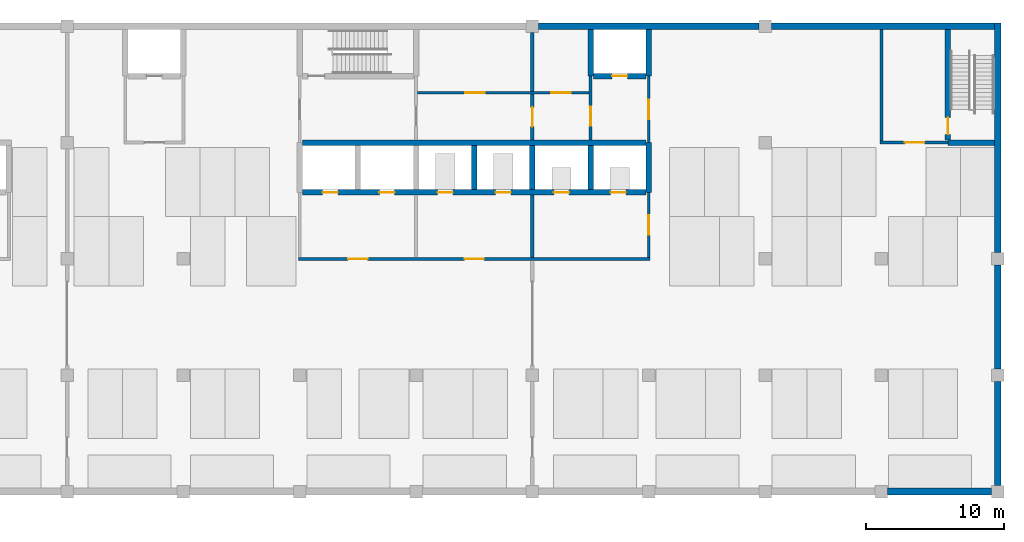
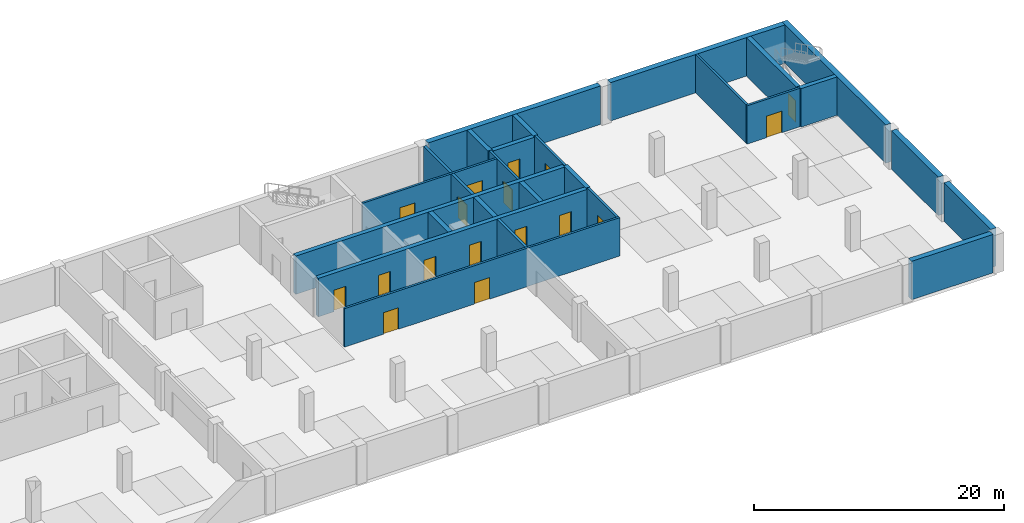
# One storey, part 5 of 14: 27 walls, 17 doors, 17 openings.
"""IFC4 building model written with IfcOpenShell, lengths in metres."""

import ifcopenshell
import ifcopenshell.guid

model = None  # the IFC model being written
_history = None  # IfcOwnerHistory: only IFC2X3 demands one
_inside = {}  # id of a spatial element -> (the spatial element, [elements in it])
_under = {}  # id of a project, library or spatial element -> (it, [spatial elements below it])
_declared = {}  # id of a project -> (the project, [libraries it declares])
_typed = {}  # id of a type object -> (the type object, [elements of that type])
_made_of = {}  # id of a material, layer set ... -> (it, [elements and type objects made of it])


def new_model(schema):
    """Start an empty IFC model of exactly this schema.

    Asked for "IFC4X3", IfcOpenShell would pick the latest addendum, in which some entities
    have other attributes; the version numbers below select the first issue.
    IFC2X3 requires an IfcOwnerHistory on every rooted entity: one is made here for all.
    """
    global model, _history
    if schema == "IFC4X3":
        model = ifcopenshell.file(schema_version=(4, 3, 0, 0))
    else:
        model = ifcopenshell.file(schema=schema)
    _inside.clear()
    _under.clear()
    _declared.clear()
    _typed.clear()
    _made_of.clear()
    _history = None
    if model.schema == "IFC2X3":
        org = make("IfcOrganization", Name="unknown")
        user = make(
            "IfcPersonAndOrganization",
            ThePerson=make("IfcPerson", FamilyName="unknown"),
            TheOrganization=org,
        )
        app = make(
            "IfcApplication",
            ApplicationDeveloper=org,
            Version="unknown",
            ApplicationFullName="unknown",
            ApplicationIdentifier="unknown",
        )
        _history = make(
            "IfcOwnerHistory",
            OwningUser=user,
            OwningApplication=app,
            ChangeAction="ADDED",
            CreationDate=0,
        )
    return model


def make(cls, **values):
    """One entity of the class cls with the attributes given. An attribute that is None is left unset."""
    return model.create_entity(
        cls, **{name: value for name, value in values.items() if value is not None}
    )


def rooted(cls, **values):
    """An entity with a GlobalId (a new one), such as an element, a storey or a relation."""
    return make(cls, GlobalId=ifcopenshell.guid.new(), OwnerHistory=_history, **values)


def si_unit(unit_type, name, prefix=None):
    """IfcSIUnit, for example si_unit("LENGTHUNIT", "METRE", prefix="MILLI")."""
    return make("IfcSIUnit", UnitType=unit_type, Prefix=prefix, Name=name)


def assignment(units):
    """IfcUnitAssignment: the units of a project."""
    return None if units is None else make("IfcUnitAssignment", Units=units)


def point(xyz):
    """IfcCartesianPoint."""
    return None if xyz is None else make("IfcCartesianPoint", Coordinates=xyz)


def direction(xyz):
    """IfcDirection."""
    return None if xyz is None else make("IfcDirection", DirectionRatios=xyz)


def frame(location, z_axis=None, x_axis=None):
    """IfcAxis2Placement3D, a coordinate frame: its origin and axes. An axis left out is left unset."""
    return make(
        "IfcAxis2Placement3D",
        Location=point(location),
        Axis=direction(z_axis),
        RefDirection=direction(x_axis),
    )


def frame_2d(location, x_axis=None):
    """IfcAxis2Placement2D, a coordinate frame in the plane: its origin and x axis."""
    return make(
        "IfcAxis2Placement2D", Location=point(location), RefDirection=direction(x_axis)
    )


def origin():
    """The frame at (0, 0, 0) with its axes left unset."""
    return frame((0.0, 0.0, 0.0))


def place(relative_to, where):
    """IfcLocalPlacement: puts the frame where relative to a parent placement (None: the world)."""
    return make(
        "IfcLocalPlacement", PlacementRelTo=relative_to, RelativePlacement=where
    )


def context(
    kind, dimensions, precision=None, world=None, true_north=None, identifier=None
):
    """IfcGeometricRepresentationContext, for example the 3D "Model" context."""
    return make(
        "IfcGeometricRepresentationContext",
        ContextIdentifier=identifier,
        ContextType=kind,
        CoordinateSpaceDimension=dimensions,
        Precision=precision,
        WorldCoordinateSystem=world,
        TrueNorth=true_north,
    )


def subcontext(parent, identifier, kind, view, scale=None):
    """IfcGeometricRepresentationSubContext, for example "Body" below "Model"."""
    return make(
        "IfcGeometricRepresentationSubContext",
        ContextIdentifier=identifier,
        ContextType=kind,
        ParentContext=parent,
        TargetScale=scale,
        TargetView=view,
    )


def project(units=None, contexts=None):
    """IfcProject with its units and contexts."""
    return rooted(
        "IfcProject",
        Name="project",
        RepresentationContexts=contexts,
        UnitsInContext=assignment(units),
    )


def spatial(cls, under=None, at=None, **own):
    """A site, building, storey or space (cls), placed at a placement, below another one or the project."""
    s = rooted(cls, ObjectPlacement=at, **own)
    if under is not None:
        _under.setdefault(under.id(), (under, []))[1].append(s)
    return s


def profile(cls, at=None, kind="AREA", **sizes):
    """A parametric profile (cls). Its sizes go by their IFC names, for example OverallWidth=200.0."""
    return make(cls, ProfileType=kind, Position=at, **sizes)


def rectangle(**sizes):
    """IfcRectangleProfileDef."""
    return profile("IfcRectangleProfileDef", **sizes)


def extrude(swept, where, along, depth):
    """IfcExtrudedAreaSolid: the profile swept, set in the frame where, extruded along a direction by depth."""
    return make(
        "IfcExtrudedAreaSolid",
        SweptArea=swept,
        Position=where,
        ExtrudedDirection=direction(along),
        Depth=depth,
    )


def shape(context_of_items, identifier, shape_type, items):
    """IfcShapeRepresentation: the items that make up one representation, for example the "Body"."""
    return make(
        "IfcShapeRepresentation",
        ContextOfItems=context_of_items,
        RepresentationIdentifier=identifier,
        RepresentationType=shape_type,
        Items=items,
    )


def material(Name=None, Category=None):
    """IfcMaterial."""
    return make("IfcMaterial", Name=Name, Category=Category)


def layer(
    of_material, thickness, ventilated=None, Name=None, Category=None, Priority=None
):
    """IfcMaterialLayer: one layer of a wall or slab, of a material (None: an air gap)."""
    return make(
        "IfcMaterialLayer",
        Material=of_material,
        LayerThickness=thickness,
        IsVentilated=ventilated,
        Name=Name,
        Category=Category,
        Priority=Priority,
    )


def layer_set(layers, Name=None):
    """IfcMaterialLayerSet."""
    return make("IfcMaterialLayerSet", MaterialLayers=layers, LayerSetName=Name)


def made_of(thing, what):
    """Note that an element or type object is made of a material, layer set ...; save() writes the relation."""
    if what is not None:
        _made_of.setdefault(what.id(), (what, []))[1].append(thing)
    return thing


def type_object(cls, material=None, **own):
    """A type object (cls), such as IfcWallType, which elements share."""
    return made_of(rooted(cls, **own), material)


def element(
    cls,
    number,
    at=None,
    inside=None,
    cuts=None,
    type_object=None,
    material=None,
    context=None,
    identifier="Body",
    shape_type=None,
    held_by="IfcProductDefinitionShape",
    body=None,
    shapes=None,
    **own,
):
    """One element of the class cls, such as IfcWall. Its Tag is "e" and its number.

    at: its placement. inside: the storey or other place that contains it. cuts: it is an
    opening in that element (IfcRelVoidsElement). A single representation is given by context,
    identifier, shape_type and body (its items); several are given by shapes. held_by: the class
    of the entity that holds the representations. save() writes the other relations.
    """
    e = rooted(cls, Tag="e%d" % number, ObjectPlacement=at, **own)
    if body is not None:
        shapes = [shape(context, identifier, shape_type, body)]
    if shapes is not None:
        e.Representation = make(held_by, Representations=shapes)
    if inside is not None:
        _inside.setdefault(inside.id(), (inside, []))[1].append(e)
    if cuts is not None:
        rooted(
            "IfcRelVoidsElement", RelatingBuildingElement=cuts, RelatedOpeningElement=e
        )
    if type_object is not None:
        _typed.setdefault(type_object.id(), (type_object, []))[1].append(e)
    return made_of(e, material)


def fill(opening, filler):
    """IfcRelFillsElement: the door or window that sits in an opening."""
    return rooted(
        "IfcRelFillsElement",
        RelatingOpeningElement=opening,
        RelatedBuildingElement=filler,
    )


def aggregate(whole, parts):
    """IfcRelAggregates: a whole, such as a stair, and the parts it consists of."""
    return rooted("IfcRelAggregates", RelatingObject=whole, RelatedObjects=parts)


def save(model, path):
    """Write the relations noted so far, then the file.

    IfcRelAggregates (storeys below a building ...), IfcRelContainedInSpatialStructure (elements
    in a storey), IfcRelDefinesByType, IfcRelAssociatesMaterial and IfcRelDeclares: one each for
    every whole, place, type object, material and project.
    """
    for whole, parts in _under.values():
        aggregate(whole, parts)
    for where, things in _inside.values():
        rooted(
            "IfcRelContainedInSpatialStructure",
            RelatedElements=things,
            RelatingStructure=where,
        )
    for kind, things in _typed.values():
        rooted("IfcRelDefinesByType", RelatedObjects=things, RelatingType=kind)
    for what, things in _made_of.values():
        rooted("IfcRelAssociatesMaterial", RelatedObjects=things, RelatingMaterial=what)
    for by, libraries in _declared.values():
        rooted("IfcRelDeclares", RelatingContext=by, RelatedDefinitions=libraries)
    model.write(path)


model = new_model("IFC4")

# Units and contexts
model_context = context("Model", 3, precision=1e-05, world=origin(), true_north=direction((0.0, 1.0)))
body_context = subcontext(model_context, "Body", "Model", "MODEL_VIEW")
ifc_project = project(units=[si_unit("LENGTHUNIT", "METRE"), si_unit("AREAUNIT", "SQUARE_METRE"), si_unit("VOLUMEUNIT", "CUBIC_METRE"), si_unit("PLANEANGLEUNIT", "RADIAN"), si_unit("MASSUNIT", "GRAM", prefix="KILO")], contexts=[model_context])

# Site, building, storey
site_placement = place(None, origin())
site = spatial("IfcSite", under=ifc_project, at=site_placement, CompositionType="ELEMENT")
building_placement = place(site_placement, origin())
building = spatial("IfcBuilding", under=site, at=building_placement, Name="Yavir Park General Hospital", CompositionType="ELEMENT")
storey_placement = place(building_placement, frame((0.0, 0.0, -4.199951171875)))
storey = spatial("IfcBuildingStorey", under=building, at=storey_placement, Name="B1", CompositionType="ELEMENT", Elevation=-4.199951171875)

# Wall
ifc_material_1 = material(Name="Concrete C30/37", Category="concrete")
ifc_layer_1 = layer(ifc_material_1, 0.25)
ifc_layer_set_1 = layer_set([ifc_layer_1], Name="Concrete C30/37")
wall_type_1 = type_object("IfcWallType", Name="Compartment fire wall 250, REI 150", PredefinedType="SOLIDWALL", material=ifc_layer_set_1)
wall_1_placement = place(storey_placement, frame((134.39990234375, 16.89990234375, 0.0), z_axis=(0.0, 0.0, 1.0), x_axis=(0.0, 1.0, 0.0)))
element("IfcWall", 1, at=wall_1_placement, inside=storey, type_object=wall_type_1, Name="FW25 B1-093", PredefinedType="SOLIDWALL", context=body_context, shape_type="SweptSolid", body=[
    extrude(rectangle(XDim=4.5, YDim=0.25, at=frame_2d((2.25, 0.0))), origin(), (0.0, 0.0, 1.0), 3.75),
])

# Wall, opening, door
wall_2_placement = place(storey_placement, frame((134.39990234375, 25.39990234375, 0.0), z_axis=(0.0, 0.0, 1.0), x_axis=(0.0, 1.0, 0.0)))
wall_2 = element("IfcWall", 2, at=wall_2_placement, inside=storey, type_object=wall_type_1, Name="FW25 B1-095", PredefinedType="SOLIDWALL", context=body_context, shape_type="SweptSolid", body=[
    extrude(rectangle(XDim=3.300048828125, YDim=0.25, at=frame_2d((1.64990234375, 0.0))), origin(), (0.0, 0.0, 1.0), 3.75),
])
opening_1_placement = place(wall_2_placement, frame((0.949951171875, 0.0, 0.0)))
opening_1 = element("IfcOpeningElement", 3, at=opening_1_placement, cuts=wall_2, Name="Opening B1.D059", PredefinedType="OPENING", context=body_context, shape_type="SweptSolid", body=[
    extrude(rectangle(XDim=1.39990234375, YDim=2.10009765625, at=frame_2d((0.699951171875, 1.050048828125))), frame((0.0, 0.135009765625, 0.0), z_axis=(0.0, -1.0, 0.0), x_axis=(1.0, 0.0, 0.0)), (0.0, 0.0, 1.0), 0.27001953125),
])
ifc_material_2 = material(Name="Steel frame, fire-resisting leaves with vision panels", Category="steel")
door_type_1 = type_object("IfcDoorType", Name="Double fire door with vision panels 1400 x 2100, EI 60", OperationType="DOUBLE_DOOR_SINGLE_SWING", PredefinedType="DOOR", material=ifc_material_2)
door_1_placement = place(opening_1_placement, origin())
door_1 = element("IfcDoor", 4, at=door_1_placement, inside=storey, type_object=door_type_1, Name="B1.D059", OperationType="SINGLE_SWING_LEFT", OverallHeight=2.10009765625, OverallWidth=1.39990234375, PredefinedType="DOOR", context=body_context, shape_type="SweptSolid", body=[
    extrude(rectangle(XDim=1.39990234375, YDim=2.10009765625, at=frame_2d((0.699951171875, 1.050048828125))), frame((0.0, 0.030029296875, 0.0), z_axis=(0.0, -1.0, 0.0), x_axis=(1.0, 0.0, 0.0)), (0.0, 0.0, 1.0), 0.06005859375),
])
fill(opening_1, door_1)

# Wall
wall_3_placement = place(storey_placement, frame((134.39990234375, 28.89990234375, 0.0), z_axis=(0.0, 0.0, 1.0), x_axis=(0.0, 1.0, 0.0)))
element("IfcWall", 5, at=wall_3_placement, inside=storey, type_object=wall_type_1, Name="FW25 B1-096", PredefinedType="SOLIDWALL", context=body_context, shape_type="SweptSolid", body=[
    extrude(rectangle(XDim=4.25, YDim=0.25, at=frame_2d((2.125, 0.0))), origin(), (0.0, 0.0, 1.0), 3.75),
])

# Wall, openings, doors
ifc_material_3 = material(Name="Double gypsum board fire partition on steel studs", Category="steel")
ifc_layer_2 = layer(ifc_material_3, 0.199951171875)
ifc_layer_set_2 = layer_set([ifc_layer_2], Name="Double gypsum board fire partition on steel studs")
wall_type_2 = type_object("IfcWallType", Name="Fire-rated partition 200, EI 60", PredefinedType="PARTITIONING", material=ifc_layer_set_2)
wall_4_placement = place(storey_placement, frame((117.5, 16.800048828125, 0.0), z_axis=(0.0, 0.0, 1.0), x_axis=(1.0, 0.0, 0.0)))
wall_4 = element("IfcWall", 6, at=wall_4_placement, inside=storey, type_object=wall_type_2, Name="FP20 B1-006", PredefinedType="PARTITIONING", context=body_context, shape_type="SweptSolid", body=[
    extrude(rectangle(XDim=25.39990234375, YDim=0.199951171875, at=frame_2d((12.699951171875, 0.0))), origin(), (0.0, 0.0, 1.0), 3.75),
])
opening_2_placement = place(wall_4_placement, frame((3.60009765625, 0.0, 0.0)))
opening_2 = element("IfcOpeningElement", 7, at=opening_2_placement, cuts=wall_4, Name="Opening B1.D006", PredefinedType="OPENING", context=body_context, shape_type="SweptSolid", body=[
    extrude(rectangle(XDim=1.39990234375, YDim=2.10009765625, at=frame_2d((0.699951171875, 1.050048828125))), frame((0.0, 0.10986328125, 0.0), z_axis=(0.0, -1.0, 0.0), x_axis=(1.0, 0.0, 0.0)), (0.0, 0.0, 1.0), 0.219970703125),
])
opening_3_placement = place(wall_4_placement, frame((12.0, 0.0, 0.0)))
opening_3 = element("IfcOpeningElement", 8, at=opening_3_placement, cuts=wall_4, Name="Opening B1.D007", PredefinedType="OPENING", context=body_context, shape_type="SweptSolid", body=[
    extrude(rectangle(XDim=1.39990234375, YDim=2.10009765625, at=frame_2d((0.699951171875, 1.050048828125))), frame((0.0, 0.10986328125, 0.0), z_axis=(0.0, -1.0, 0.0), x_axis=(1.0, 0.0, 0.0)), (0.0, 0.0, 1.0), 0.219970703125),
])
ifc_material_4 = material(Name="Steel frame, fire-resisting timber leaves", Category="steel")
door_type_2 = type_object("IfcDoorType", Name="Double fire door 1400 x 2100, EI 60", OperationType="DOUBLE_DOOR_SINGLE_SWING", PredefinedType="DOOR", material=ifc_material_4)
door_2_placement = place(opening_2_placement, origin())
door_2 = element("IfcDoor", 9, at=door_2_placement, inside=storey, type_object=door_type_2, Name="B1.D006", OperationType="SINGLE_SWING_LEFT", OverallHeight=2.10009765625, OverallWidth=1.39990234375, PredefinedType="DOOR", context=body_context, shape_type="SweptSolid", body=[
    extrude(rectangle(XDim=1.39990234375, YDim=2.10009765625, at=frame_2d((0.699951171875, 1.050048828125))), frame((0.0, 0.02490234375, 0.0), z_axis=(0.0, -1.0, 0.0), x_axis=(1.0, 0.0, 0.0)), (0.0, 0.0, 1.0), 0.050048828125),
])
fill(opening_2, door_2)
door_3_placement = place(opening_3_placement, origin())
door_3 = element("IfcDoor", 10, at=door_3_placement, inside=storey, type_object=door_type_2, Name="B1.D007", OperationType="SINGLE_SWING_RIGHT", OverallHeight=2.10009765625, OverallWidth=1.39990234375, PredefinedType="DOOR", context=body_context, shape_type="SweptSolid", body=[
    extrude(rectangle(XDim=1.39990234375, YDim=2.10009765625, at=frame_2d((0.699951171875, 1.050048828125))), frame((0.0, 0.02490234375, 0.0), z_axis=(0.0, -1.0, 0.0), x_axis=(1.0, 0.0, 0.0)), (0.0, 0.0, 1.0), 0.050048828125),
])
fill(opening_3, door_3)

# Wall, opening, door
wall_5_placement = place(storey_placement, frame((159.5, 25.199951171875, 0.0), z_axis=(0.0, 0.0, 1.0), x_axis=(1.0, 0.0, 0.0)))
wall_5 = element("IfcWall", 11, at=wall_5_placement, inside=storey, type_object=wall_type_2, Name="FP20 B1-022", PredefinedType="PARTITIONING", context=body_context, shape_type="SweptSolid", body=[
    extrude(rectangle(XDim=4.89990234375, YDim=0.199951171875, at=frame_2d((2.449951171875, 0.0))), origin(), (0.0, 0.0, 1.0), 3.75),
])
opening_4_placement = place(wall_5_placement, frame((1.800048828125, 0.0, 0.0)))
opening_4 = element("IfcOpeningElement", 12, at=opening_4_placement, cuts=wall_5, Name="Opening B1.D029", PredefinedType="OPENING", context=body_context, shape_type="SweptSolid", body=[
    extrude(rectangle(XDim=1.39990234375, YDim=2.10009765625, at=frame_2d((0.699951171875, 1.050048828125))), frame((0.0, 0.10986328125, 0.0), z_axis=(0.0, -1.0, 0.0), x_axis=(1.0, 0.0, 0.0)), (0.0, 0.0, 1.0), 0.219970703125),
])
door_4_placement = place(opening_4_placement, origin())
door_4 = element("IfcDoor", 13, at=door_4_placement, inside=storey, type_object=door_type_2, Name="B1.D029", OperationType="SINGLE_SWING_RIGHT", OverallHeight=2.10009765625, OverallWidth=1.39990234375, PredefinedType="DOOR", context=body_context, shape_type="SweptSolid", body=[
    extrude(rectangle(XDim=1.39990234375, YDim=2.10009765625, at=frame_2d((0.699951171875, 1.050048828125))), frame((0.0, 0.02490234375, 0.0), z_axis=(0.0, -1.0, 0.0), x_axis=(1.0, 0.0, 0.0)), (0.0, 0.0, 1.0), 0.050048828125),
])
fill(opening_4, door_4)

# Wall, openings, doors
wall_6_placement = place(storey_placement, frame((126.10009765625, 28.800048828125, 0.0), z_axis=(0.0, 0.0, 1.0), x_axis=(1.0, 0.0, 0.0)))
wall_6 = element("IfcWall", 14, at=wall_6_placement, inside=storey, type_object=wall_type_2, Name="FP20 B1-025", PredefinedType="PARTITIONING", context=body_context, shape_type="SweptSolid", body=[
    extrude(rectangle(XDim=12.39990234375, YDim=0.199951171875, at=frame_2d((6.199951171875, 0.0))), origin(), (0.0, 0.0, 1.0), 3.75),
])
opening_5_placement = place(wall_6_placement, frame((3.449951171875, 0.0, 0.0)))
opening_5 = element("IfcOpeningElement", 15, at=opening_5_placement, cuts=wall_6, Name="Opening B1.D031", PredefinedType="OPENING", context=body_context, shape_type="SweptSolid", body=[
    extrude(rectangle(XDim=1.39990234375, YDim=2.10009765625, at=frame_2d((0.699951171875, 1.050048828125))), frame((0.0, 0.10986328125, 0.0), z_axis=(0.0, -1.0, 0.0), x_axis=(1.0, 0.0, 0.0)), (0.0, 0.0, 1.0), 0.219970703125),
])
opening_6_placement = place(wall_6_placement, frame((9.64990234375, 0.0, 0.0)))
opening_6 = element("IfcOpeningElement", 16, at=opening_6_placement, cuts=wall_6, Name="Opening B1.D032", PredefinedType="OPENING", context=body_context, shape_type="SweptSolid", body=[
    extrude(rectangle(XDim=1.39990234375, YDim=2.10009765625, at=frame_2d((0.699951171875, 1.050048828125))), frame((0.0, 0.10986328125, 0.0), z_axis=(0.0, -1.0, 0.0), x_axis=(1.0, 0.0, 0.0)), (0.0, 0.0, 1.0), 0.219970703125),
])
door_5_placement = place(opening_5_placement, origin())
door_5 = element("IfcDoor", 17, at=door_5_placement, inside=storey, type_object=door_type_2, Name="B1.D031", OperationType="SINGLE_SWING_LEFT", OverallHeight=2.10009765625, OverallWidth=1.39990234375, PredefinedType="DOOR", context=body_context, shape_type="SweptSolid", body=[
    extrude(rectangle(XDim=1.39990234375, YDim=2.10009765625, at=frame_2d((0.699951171875, 1.050048828125))), frame((0.0, 0.02490234375, 0.0), z_axis=(0.0, -1.0, 0.0), x_axis=(1.0, 0.0, 0.0)), (0.0, 0.0, 1.0), 0.050048828125),
])
fill(opening_5, door_5)
door_6_placement = place(opening_6_placement, origin())
door_6 = element("IfcDoor", 18, at=door_6_placement, inside=storey, type_object=door_type_2, Name="B1.D032", OperationType="SINGLE_SWING_RIGHT", OverallHeight=2.10009765625, OverallWidth=1.39990234375, PredefinedType="DOOR", context=body_context, shape_type="SweptSolid", body=[
    extrude(rectangle(XDim=1.39990234375, YDim=2.10009765625, at=frame_2d((0.699951171875, 1.050048828125))), frame((0.0, 0.02490234375, 0.0), z_axis=(0.0, -1.0, 0.0), x_axis=(1.0, 0.0, 0.0)), (0.0, 0.0, 1.0), 0.050048828125),
])
fill(opening_6, door_6)

# Wall, opening, door
wall_7_placement = place(storey_placement, frame((138.60009765625, 25.39990234375, 0.0), z_axis=(0.0, 0.0, 1.0), x_axis=(0.0, 1.0, 0.0)))
wall_7 = element("IfcWall", 19, at=wall_7_placement, inside=storey, type_object=wall_type_2, Name="FP20 B1-098", PredefinedType="PARTITIONING", context=body_context, shape_type="SweptSolid", body=[
    extrude(rectangle(XDim=4.60009765625, YDim=0.199951171875, at=frame_2d((2.300048828125, 0.0))), origin(), (0.0, 0.0, 1.0), 3.75),
])
opening_7_placement = place(wall_7_placement, frame((1.0, 0.0, 0.0)))
opening_7 = element("IfcOpeningElement", 20, at=opening_7_placement, cuts=wall_7, Name="Opening B1.D060", PredefinedType="OPENING", context=body_context, shape_type="SweptSolid", body=[
    extrude(rectangle(XDim=1.39990234375, YDim=2.10009765625, at=frame_2d((0.699951171875, 1.050048828125))), frame((0.0, 0.10986328125, 0.0), z_axis=(0.0, -1.0, 0.0), x_axis=(1.0, 0.0, 0.0)), (0.0, 0.0, 1.0), 0.219970703125),
])
door_7_placement = place(opening_7_placement, origin())
door_7 = element("IfcDoor", 21, at=door_7_placement, inside=storey, type_object=door_type_1, Name="B1.D060", OperationType="SINGLE_SWING_LEFT", OverallHeight=2.10009765625, OverallWidth=1.39990234375, PredefinedType="DOOR", context=body_context, shape_type="SweptSolid", body=[
    extrude(rectangle(XDim=1.39990234375, YDim=2.10009765625, at=frame_2d((0.699951171875, 1.050048828125))), frame((0.0, 0.030029296875, 0.0), z_axis=(0.0, -1.0, 0.0), x_axis=(1.0, 0.0, 0.0)), (0.0, 0.0, 1.0), 0.06005859375),
])
fill(opening_7, door_7)

wall_8_placement = place(storey_placement, frame((142.800048828125, 16.89990234375, 0.0), z_axis=(0.0, 0.0, 1.0), x_axis=(0.0, 1.0, 0.0)))
wall_8 = element("IfcWall", 22, at=wall_8_placement, inside=storey, type_object=wall_type_2, Name="FP20 B1-100", PredefinedType="PARTITIONING", context=body_context, shape_type="SweptSolid", body=[
    extrude(rectangle(XDim=4.7001953125, YDim=0.199951171875, at=frame_2d((2.35009765625, 0.0))), origin(), (0.0, 0.0, 1.0), 3.75),
])
opening_8_placement = place(wall_8_placement, frame((1.64990234375, 0.0, 0.0)))
opening_8 = element("IfcOpeningElement", 23, at=opening_8_placement, cuts=wall_8, Name="Opening B1.D061", PredefinedType="OPENING", context=body_context, shape_type="SweptSolid", body=[
    extrude(rectangle(XDim=1.39990234375, YDim=2.10009765625, at=frame_2d((0.699951171875, 1.050048828125))), frame((0.0, 0.10986328125, 0.0), z_axis=(0.0, -1.0, 0.0), x_axis=(1.0, 0.0, 0.0)), (0.0, 0.0, 1.0), 0.219970703125),
])
door_8_placement = place(opening_8_placement, origin())
door_8 = element("IfcDoor", 24, at=door_8_placement, inside=storey, type_object=door_type_2, Name="B1.D061", OperationType="SINGLE_SWING_RIGHT", OverallHeight=2.10009765625, OverallWidth=1.39990234375, PredefinedType="DOOR", context=body_context, shape_type="SweptSolid", body=[
    extrude(rectangle(XDim=1.39990234375, YDim=2.10009765625, at=frame_2d((0.699951171875, 1.050048828125))), frame((0.0, 0.02490234375, 0.0), z_axis=(0.0, -1.0, 0.0), x_axis=(1.0, 0.0, 0.0)), (0.0, 0.0, 1.0), 0.050048828125),
])
fill(opening_8, door_8)

wall_9_placement = place(storey_placement, frame((142.800048828125, 25.199951171875, 0.0), z_axis=(0.0, 0.0, 1.0), x_axis=(0.0, 1.0, 0.0)))
wall_9 = element("IfcWall", 25, at=wall_9_placement, inside=storey, type_object=wall_type_2, Name="FP20 B1-102", PredefinedType="PARTITIONING", context=body_context, shape_type="SweptSolid", body=[
    extrude(rectangle(XDim=4.800048828125, YDim=0.199951171875, at=frame_2d((2.39990234375, 0.0))), origin(), (0.0, 0.0, 1.0), 3.75),
])
opening_9_placement = place(wall_9_placement, frame((1.699951171875, 0.0, 0.0)))
opening_9 = element("IfcOpeningElement", 26, at=opening_9_placement, cuts=wall_9, Name="Opening B1.D062", PredefinedType="OPENING", context=body_context, shape_type="SweptSolid", body=[
    extrude(rectangle(XDim=1.39990234375, YDim=2.10009765625, at=frame_2d((0.699951171875, 1.050048828125))), frame((0.0, 0.10986328125, 0.0), z_axis=(0.0, -1.0, 0.0), x_axis=(1.0, 0.0, 0.0)), (0.0, 0.0, 1.0), 0.219970703125),
])
door_9_placement = place(opening_9_placement, origin())
door_9 = element("IfcDoor", 27, at=door_9_placement, inside=storey, type_object=door_type_2, Name="B1.D062", OperationType="SINGLE_SWING_LEFT", OverallHeight=2.10009765625, OverallWidth=1.39990234375, PredefinedType="DOOR", context=body_context, shape_type="SweptSolid", body=[
    extrude(rectangle(XDim=1.39990234375, YDim=2.10009765625, at=frame_2d((0.699951171875, 1.050048828125))), frame((0.0, 0.02490234375, 0.0), z_axis=(0.0, -1.0, 0.0), x_axis=(1.0, 0.0, 0.0)), (0.0, 0.0, 1.0), 0.050048828125),
])
fill(opening_9, door_9)

# Walls
wall_10_placement = place(storey_placement, frame((159.60009765625, 25.300048828125, 0.0), z_axis=(0.0, 0.0, 1.0), x_axis=(0.0, 1.0, 0.0)))
element("IfcWall", 28, at=wall_10_placement, inside=storey, type_object=wall_type_2, Name="FP20 B1-104", PredefinedType="PARTITIONING", context=body_context, shape_type="SweptSolid", body=[
    extrude(rectangle(XDim=8.050048828125, YDim=0.199951171875, at=frame_2d((4.02490234375, 0.0))), origin(), (0.0, 0.0, 1.0), 3.75),
])
ifc_material_5 = material(Name="Concrete C35/45", Category="concrete")
ifc_layer_3 = layer(ifc_material_5, 0.5)
ifc_layer_set_3 = layer_set([ifc_layer_3], Name="Concrete C35/45")
wall_type_3 = type_object("IfcWallType", Name="RC WALL RETAINING 500", PredefinedType="SOLIDWALL", material=ifc_layer_set_3)
wall_11_placement = place(storey_placement, frame((160.050048828125, 0.0, 0.0), z_axis=(0.0, 0.0, 1.0), x_axis=(1.0, 0.0, 0.0)))
element("IfcWall", 29, at=wall_11_placement, inside=storey, type_object=wall_type_3, Name="W:RET:B1:S15", PredefinedType="SOLIDWALL", context=body_context, shape_type="SweptSolid", body=[
    extrude(rectangle(XDim=7.5, YDim=0.5, at=frame_2d((3.75, 0.0))), origin(), (0.0, 0.0, 1.0), 3.75),
])
wall_12_placement = place(storey_placement, frame((134.85009765625, 33.60009765625, 0.0), z_axis=(0.0, 0.0, 1.0), x_axis=(1.0, 0.0, 0.0)))
element("IfcWall", 30, at=wall_12_placement, inside=storey, type_object=wall_type_3, Name="W:RET:B1:N24", PredefinedType="SOLIDWALL", context=body_context, shape_type="SweptSolid", body=[
    extrude(rectangle(XDim=15.89990234375, YDim=0.5, at=frame_2d((7.949951171875, 0.0))), origin(), (0.0, 0.0, 1.0), 3.75),
])
wall_13_placement = place(storey_placement, frame((151.64990234375, 33.60009765625, 0.0), z_axis=(0.0, 0.0, 1.0), x_axis=(1.0, 0.0, 0.0)))
element("IfcWall", 31, at=wall_13_placement, inside=storey, type_object=wall_type_3, Name="W:RET:B1:N25", PredefinedType="SOLIDWALL", context=body_context, shape_type="SweptSolid", body=[
    extrude(rectangle(XDim=16.10009765625, YDim=0.5, at=frame_2d((8.050048828125, 0.0))), origin(), (0.0, 0.0, 1.0), 3.75),
])
for number, where, z_axis, x_axis, name in (
    (32, (168.0, 0.449951171875, 0.0), (0.0, 0.0, 1.0), (0.0, 1.0, 0.0), "W:RET:B1:E28"),
    (33, (168.0, 8.85009765625, 0.0), (0.0, 0.0, 1.0), (0.0, 1.0, 0.0), "W:RET:B1:E29"),
):
    element("IfcWall", number, at=place(storey_placement, frame(where, z_axis=z_axis, x_axis=x_axis)), inside=storey, type_object=wall_type_3, Name=name, PredefinedType="SOLIDWALL", context=body_context, shape_type="SweptSolid", body=[
        extrude(rectangle(XDim=7.5, YDim=0.5, at=frame_2d((3.75, 0.0))), origin(), (0.0, 0.0, 1.0), 3.75),
    ])
wall_14_placement = place(storey_placement, frame((168.0, 17.25, 0.0), z_axis=(0.0, 0.0, 1.0), x_axis=(0.0, 1.0, 0.0)))
element("IfcWall", 34, at=wall_14_placement, inside=storey, type_object=wall_type_3, Name="W:RET:B1:E30", PredefinedType="SOLIDWALL", context=body_context, shape_type="SweptSolid", body=[
    extrude(rectangle(XDim=16.60009765625, YDim=0.5, at=frame_2d((8.300048828125, 0.0))), origin(), (0.0, 0.0, 1.0), 3.75),
])

# Wall, openings, doors
ifc_material_6 = material(Name="Concrete C35/45", Category="concrete")
ifc_layer_4 = layer(ifc_material_6, 0.39990234375)
ifc_layer_set_4 = layer_set([ifc_layer_4], Name="Concrete C35/45")
wall_type_4 = type_object("IfcWallType", Name="Reinforced concrete core wall 400, REI 150", PredefinedType="SHEAR", material=ifc_layer_set_4)
wall_15_placement = place(storey_placement, frame((117.800048828125, 21.60009765625, 0.0), z_axis=(0.0, 0.0, 1.0), x_axis=(1.0, 0.0, 0.0)))
wall_15 = element("IfcWall", 35, at=wall_15_placement, inside=storey, type_object=wall_type_4, Name="CW40 B1-011", PredefinedType="SHEAR", context=body_context, shape_type="SweptSolid", body=[
    extrude(rectangle(XDim=24.800048828125, YDim=0.39990234375, at=frame_2d((12.39990234375, 0.0))), origin(), (0.0, 0.0, 1.0), 3.75),
])
opening_10_placement = place(wall_15_placement, frame((1.449951171875, 0.0, 0.0)))
opening_10 = element("IfcOpeningElement", 36, at=opening_10_placement, cuts=wall_15, Name="Opening B1.D017", PredefinedType="OPENING", context=body_context, shape_type="SweptSolid", body=[
    extrude(rectangle(XDim=1.10009765625, YDim=2.10009765625, at=frame_2d((0.550048828125, 1.050048828125))), frame((0.0, 0.2099609375, 0.0), z_axis=(0.0, -1.0, 0.0), x_axis=(1.0, 0.0, 0.0)), (0.0, 0.0, 1.0), 0.419921875),
])
opening_11_placement = place(wall_15_placement, frame((5.550048828125, 0.0, 0.0)))
opening_11 = element("IfcOpeningElement", 37, at=opening_11_placement, cuts=wall_15, Name="Opening B1.D018", PredefinedType="OPENING", context=body_context, shape_type="SweptSolid", body=[
    extrude(rectangle(XDim=1.10009765625, YDim=2.10009765625, at=frame_2d((0.550048828125, 1.050048828125))), frame((0.0, 0.2099609375, 0.0), z_axis=(0.0, -1.0, 0.0), x_axis=(1.0, 0.0, 0.0)), (0.0, 0.0, 1.0), 0.419921875),
])
opening_12_placement = place(wall_15_placement, frame((9.75, 0.0, 0.0)))
opening_12 = element("IfcOpeningElement", 38, at=opening_12_placement, cuts=wall_15, Name="Opening B1.D019", PredefinedType="OPENING", context=body_context, shape_type="SweptSolid", body=[
    extrude(rectangle(XDim=1.10009765625, YDim=2.10009765625, at=frame_2d((0.550048828125, 1.050048828125))), frame((0.0, 0.2099609375, 0.0), z_axis=(0.0, -1.0, 0.0), x_axis=(1.0, 0.0, 0.0)), (0.0, 0.0, 1.0), 0.419921875),
])
opening_13_placement = place(wall_15_placement, frame((13.949951171875, 0.0, 0.0)))
opening_13 = element("IfcOpeningElement", 39, at=opening_13_placement, cuts=wall_15, Name="Opening B1.D020", PredefinedType="OPENING", context=body_context, shape_type="SweptSolid", body=[
    extrude(rectangle(XDim=1.10009765625, YDim=2.10009765625, at=frame_2d((0.550048828125, 1.050048828125))), frame((0.0, 0.2099609375, 0.0), z_axis=(0.0, -1.0, 0.0), x_axis=(1.0, 0.0, 0.0)), (0.0, 0.0, 1.0), 0.419921875),
])
opening_14_placement = place(wall_15_placement, frame((18.14990234375, 0.0, 0.0)))
opening_14 = element("IfcOpeningElement", 40, at=opening_14_placement, cuts=wall_15, Name="Opening B1.D021", PredefinedType="OPENING", context=body_context, shape_type="SweptSolid", body=[
    extrude(rectangle(XDim=1.10009765625, YDim=2.10009765625, at=frame_2d((0.550048828125, 1.050048828125))), frame((0.0, 0.2099609375, 0.0), z_axis=(0.0, -1.0, 0.0), x_axis=(1.0, 0.0, 0.0)), (0.0, 0.0, 1.0), 0.419921875),
])
opening_15_placement = place(wall_15_placement, frame((22.25, 0.0, 0.0)))
opening_15 = element("IfcOpeningElement", 41, at=opening_15_placement, cuts=wall_15, Name="Opening B1.D022", PredefinedType="OPENING", context=body_context, shape_type="SweptSolid", body=[
    extrude(rectangle(XDim=1.10009765625, YDim=2.10009765625, at=frame_2d((0.550048828125, 1.050048828125))), frame((0.0, 0.2099609375, 0.0), z_axis=(0.0, -1.0, 0.0), x_axis=(1.0, 0.0, 0.0)), (0.0, 0.0, 1.0), 0.419921875),
])
ifc_material_7 = material(Name="Stainless steel landing door panels", Category="steel")
door_type_3 = type_object("IfcDoorType", Name="Lift landing door 1100 x 2100, EI 60", OperationType="SLIDING_TO_LEFT", PredefinedType="DOOR", material=ifc_material_7)
door_10_placement = place(opening_10_placement, origin())
door_10 = element("IfcDoor", 42, at=door_10_placement, inside=storey, type_object=door_type_3, Name="B1.D017", OperationType="SLIDING_TO_LEFT", OverallHeight=2.10009765625, OverallWidth=1.10009765625, PredefinedType="DOOR", context=body_context, shape_type="SweptSolid", body=[
    extrude(rectangle(XDim=1.10009765625, YDim=2.10009765625, at=frame_2d((0.550048828125, 1.050048828125))), frame((0.0, 0.02490234375, 0.0), z_axis=(0.0, -1.0, 0.0), x_axis=(1.0, 0.0, 0.0)), (0.0, 0.0, 1.0), 0.050048828125),
])
fill(opening_10, door_10)
door_11_placement = place(opening_11_placement, origin())
door_11 = element("IfcDoor", 43, at=door_11_placement, inside=storey, type_object=door_type_3, Name="B1.D018", OperationType="SLIDING_TO_LEFT", OverallHeight=2.10009765625, OverallWidth=1.10009765625, PredefinedType="DOOR", context=body_context, shape_type="SweptSolid", body=[
    extrude(rectangle(XDim=1.10009765625, YDim=2.10009765625, at=frame_2d((0.550048828125, 1.050048828125))), frame((0.0, 0.02490234375, 0.0), z_axis=(0.0, -1.0, 0.0), x_axis=(1.0, 0.0, 0.0)), (0.0, 0.0, 1.0), 0.050048828125),
])
fill(opening_11, door_11)
door_12_placement = place(opening_12_placement, origin())
door_12 = element("IfcDoor", 44, at=door_12_placement, inside=storey, type_object=door_type_3, Name="B1.D019", OperationType="SLIDING_TO_LEFT", OverallHeight=2.10009765625, OverallWidth=1.10009765625, PredefinedType="DOOR", context=body_context, shape_type="SweptSolid", body=[
    extrude(rectangle(XDim=1.10009765625, YDim=2.10009765625, at=frame_2d((0.550048828125, 1.050048828125))), frame((0.0, 0.02490234375, 0.0), z_axis=(0.0, -1.0, 0.0), x_axis=(1.0, 0.0, 0.0)), (0.0, 0.0, 1.0), 0.050048828125),
])
fill(opening_12, door_12)
door_13_placement = place(opening_13_placement, origin())
door_13 = element("IfcDoor", 45, at=door_13_placement, inside=storey, type_object=door_type_3, Name="B1.D020", OperationType="SLIDING_TO_LEFT", OverallHeight=2.10009765625, OverallWidth=1.10009765625, PredefinedType="DOOR", context=body_context, shape_type="SweptSolid", body=[
    extrude(rectangle(XDim=1.10009765625, YDim=2.10009765625, at=frame_2d((0.550048828125, 1.050048828125))), frame((0.0, 0.02490234375, 0.0), z_axis=(0.0, -1.0, 0.0), x_axis=(1.0, 0.0, 0.0)), (0.0, 0.0, 1.0), 0.050048828125),
])
fill(opening_13, door_13)
door_14_placement = place(opening_14_placement, origin())
door_14 = element("IfcDoor", 46, at=door_14_placement, inside=storey, type_object=door_type_3, Name="B1.D021", OperationType="SLIDING_TO_LEFT", OverallHeight=2.10009765625, OverallWidth=1.10009765625, PredefinedType="DOOR", context=body_context, shape_type="SweptSolid", body=[
    extrude(rectangle(XDim=1.10009765625, YDim=2.10009765625, at=frame_2d((0.550048828125, 1.050048828125))), frame((0.0, 0.02490234375, 0.0), z_axis=(0.0, -1.0, 0.0), x_axis=(1.0, 0.0, 0.0)), (0.0, 0.0, 1.0), 0.050048828125),
])
fill(opening_14, door_14)
door_15_placement = place(opening_15_placement, origin())
door_15 = element("IfcDoor", 47, at=door_15_placement, inside=storey, type_object=door_type_3, Name="B1.D022", OperationType="SLIDING_TO_LEFT", OverallHeight=2.10009765625, OverallWidth=1.10009765625, PredefinedType="DOOR", context=body_context, shape_type="SweptSolid", body=[
    extrude(rectangle(XDim=1.10009765625, YDim=2.10009765625, at=frame_2d((0.550048828125, 1.050048828125))), frame((0.0, 0.02490234375, 0.0), z_axis=(0.0, -1.0, 0.0), x_axis=(1.0, 0.0, 0.0)), (0.0, 0.0, 1.0), 0.050048828125),
])
fill(opening_15, door_15)

# Walls
wall_16_placement = place(storey_placement, frame((117.800048828125, 25.199951171875, 0.0), z_axis=(0.0, 0.0, 1.0), x_axis=(1.0, 0.0, 0.0)))
element("IfcWall", 48, at=wall_16_placement, inside=storey, type_object=wall_type_4, Name="CW40 B1-021", PredefinedType="SHEAR", context=body_context, shape_type="SweptSolid", body=[
    extrude(rectangle(XDim=24.800048828125, YDim=0.39990234375, at=frame_2d((12.39990234375, 0.0))), origin(), (0.0, 0.0, 1.0), 3.75),
])
wall_17_placement = place(storey_placement, frame((164.39990234375, 25.199951171875, 0.0), z_axis=(0.0, 0.0, 1.0), x_axis=(1.0, 0.0, 0.0)))
element("IfcWall", 49, at=wall_17_placement, inside=storey, type_object=wall_type_4, Name="CW40 B1-023", PredefinedType="SHEAR", context=body_context, shape_type="SweptSolid", body=[
    extrude(rectangle(XDim=3.35009765625, YDim=0.39990234375, at=frame_2d((1.675048828125, 0.0))), origin(), (0.0, 0.0, 1.0), 3.75),
])

# Wall, opening, door
wall_18_placement = place(storey_placement, frame((138.800048828125, 30.0, 0.0), z_axis=(0.0, 0.0, 1.0), x_axis=(1.0, 0.0, 0.0)))
wall_18 = element("IfcWall", 50, at=wall_18_placement, inside=storey, type_object=wall_type_4, Name="CW40 B1-030", PredefinedType="SHEAR", context=body_context, shape_type="SweptSolid", body=[
    extrude(rectangle(XDim=3.800048828125, YDim=0.39990234375, at=frame_2d((1.89990234375, 0.0))), origin(), (0.0, 0.0, 1.0), 3.75),
])
opening_16_placement = place(wall_18_placement, frame((1.35009765625, 0.0, 0.0)))
opening_16 = element("IfcOpeningElement", 51, at=opening_16_placement, cuts=wall_18, Name="Opening B1.D038", PredefinedType="OPENING", context=body_context, shape_type="SweptSolid", body=[
    extrude(rectangle(XDim=1.10009765625, YDim=2.10009765625, at=frame_2d((0.550048828125, 1.050048828125))), frame((0.0, 0.2099609375, 0.0), z_axis=(0.0, -1.0, 0.0), x_axis=(1.0, 0.0, 0.0)), (0.0, 0.0, 1.0), 0.419921875),
])
door_16_placement = place(opening_16_placement, origin())
door_16 = element("IfcDoor", 52, at=door_16_placement, inside=storey, type_object=door_type_3, Name="B1.D038", OperationType="SLIDING_TO_LEFT", OverallHeight=2.10009765625, OverallWidth=1.10009765625, PredefinedType="DOOR", context=body_context, shape_type="SweptSolid", body=[
    extrude(rectangle(XDim=1.10009765625, YDim=2.10009765625, at=frame_2d((0.550048828125, 1.050048828125))), frame((0.0, 0.02490234375, 0.0), z_axis=(0.0, -1.0, 0.0), x_axis=(1.0, 0.0, 0.0)), (0.0, 0.0, 1.0), 0.050048828125),
])
fill(opening_16, door_16)

# Walls
for number, where, z_axis, x_axis, name in (
    (53, (130.199951171875, 21.800048828125, 0.0), (0.0, 0.0, 1.0), (0.0, 1.0, 0.0), "CW40 B1-090"),
    (54, (134.39990234375, 21.800048828125, 0.0), (0.0, 0.0, 1.0), (0.0, 1.0, 0.0), "CW40 B1-094"),
    (55, (138.60009765625, 21.800048828125, 0.0), (0.0, 0.0, 1.0), (0.0, 1.0, 0.0), "CW40 B1-097"),
):
    element("IfcWall", number, at=place(storey_placement, frame(where, z_axis=z_axis, x_axis=x_axis)), inside=storey, type_object=wall_type_4, Name=name, PredefinedType="SHEAR", context=body_context, shape_type="SweptSolid", body=[
        extrude(rectangle(XDim=3.199951171875, YDim=0.39990234375, at=frame_2d((1.60009765625, 0.0))), origin(), (0.0, 0.0, 1.0), 3.75),
    ])
wall_19_placement = place(storey_placement, frame((138.60009765625, 30.0, 0.0), z_axis=(0.0, 0.0, 1.0), x_axis=(0.0, 1.0, 0.0)))
element("IfcWall", 56, at=wall_19_placement, inside=storey, type_object=wall_type_4, Name="CW40 B1-099", PredefinedType="SHEAR", context=body_context, shape_type="SweptSolid", body=[
    extrude(rectangle(XDim=3.35009765625, YDim=0.39990234375, at=frame_2d((1.675048828125, 0.0))), origin(), (0.0, 0.0, 1.0), 3.75),
])
wall_20_placement = place(storey_placement, frame((142.800048828125, 21.60009765625, 0.0), z_axis=(0.0, 0.0, 1.0), x_axis=(0.0, 1.0, 0.0)))
element("IfcWall", 57, at=wall_20_placement, inside=storey, type_object=wall_type_4, Name="CW40 B1-101", PredefinedType="SHEAR", context=body_context, shape_type="SweptSolid", body=[
    extrude(rectangle(XDim=3.599853515625, YDim=0.39990234375, at=frame_2d((1.7998046875, 0.0))), origin(), (0.0, 0.0, 1.0), 3.75),
])
wall_21_placement = place(storey_placement, frame((142.800048828125, 30.0, 0.0), z_axis=(0.0, 0.0, 1.0), x_axis=(0.0, 1.0, 0.0)))
element("IfcWall", 58, at=wall_21_placement, inside=storey, type_object=wall_type_4, Name="CW40 B1-103", PredefinedType="SHEAR", context=body_context, shape_type="SweptSolid", body=[
    extrude(rectangle(XDim=3.35009765625, YDim=0.39990234375, at=frame_2d((1.675048828125, 0.0))), origin(), (0.0, 0.0, 1.0), 3.75),
])

# Wall, opening, door
wall_22_placement = place(storey_placement, frame((164.39990234375, 25.39990234375, 0.0), z_axis=(0.0, 0.0, 1.0), x_axis=(0.0, 1.0, 0.0)))
wall_22 = element("IfcWall", 59, at=wall_22_placement, inside=storey, type_object=wall_type_4, Name="CW40 B1-105", PredefinedType="SHEAR", context=body_context, shape_type="SweptSolid", body=[
    extrude(rectangle(XDim=7.9501953125, YDim=0.39990234375, at=frame_2d((3.97509765625, 0.0))), origin(), (0.0, 0.0, 1.0), 3.75),
])
opening_17_placement = place(wall_22_placement, frame((0.39990234375, 0.0, 0.0)))
opening_17 = element("IfcOpeningElement", 60, at=opening_17_placement, cuts=wall_22, Name="Opening B1.D063", PredefinedType="OPENING", context=body_context, shape_type="SweptSolid", body=[
    extrude(rectangle(XDim=1.199951171875, YDim=2.10009765625, at=frame_2d((0.60009765625, 1.050048828125))), frame((0.0, 0.2099609375, 0.0), z_axis=(0.0, -1.0, 0.0), x_axis=(1.0, 0.0, 0.0)), (0.0, 0.0, 1.0), 0.419921875),
])
ifc_material_8 = material(Name="Steel frame, fire-resisting timber leaf", Category="steel")
door_type_4 = type_object("IfcDoorType", Name="Fire door 1200 x 2100, EI 60", OperationType="SINGLE_SWING_LEFT", PredefinedType="DOOR", material=ifc_material_8)
door_17_placement = place(opening_17_placement, origin())
door_17 = element("IfcDoor", 61, at=door_17_placement, inside=storey, type_object=door_type_4, Name="B1.D063", OperationType="SINGLE_SWING_LEFT", OverallHeight=2.10009765625, OverallWidth=1.199951171875, PredefinedType="DOOR", context=body_context, shape_type="SweptSolid", body=[
    extrude(rectangle(XDim=1.199951171875, YDim=2.10009765625, at=frame_2d((0.60009765625, 1.050048828125))), frame((0.0, 0.02490234375, 0.0), z_axis=(0.0, -1.0, 0.0), x_axis=(1.0, 0.0, 0.0)), (0.0, 0.0, 1.0), 0.050048828125),
])
fill(opening_17, door_17)

save(model, "model.ifc")
